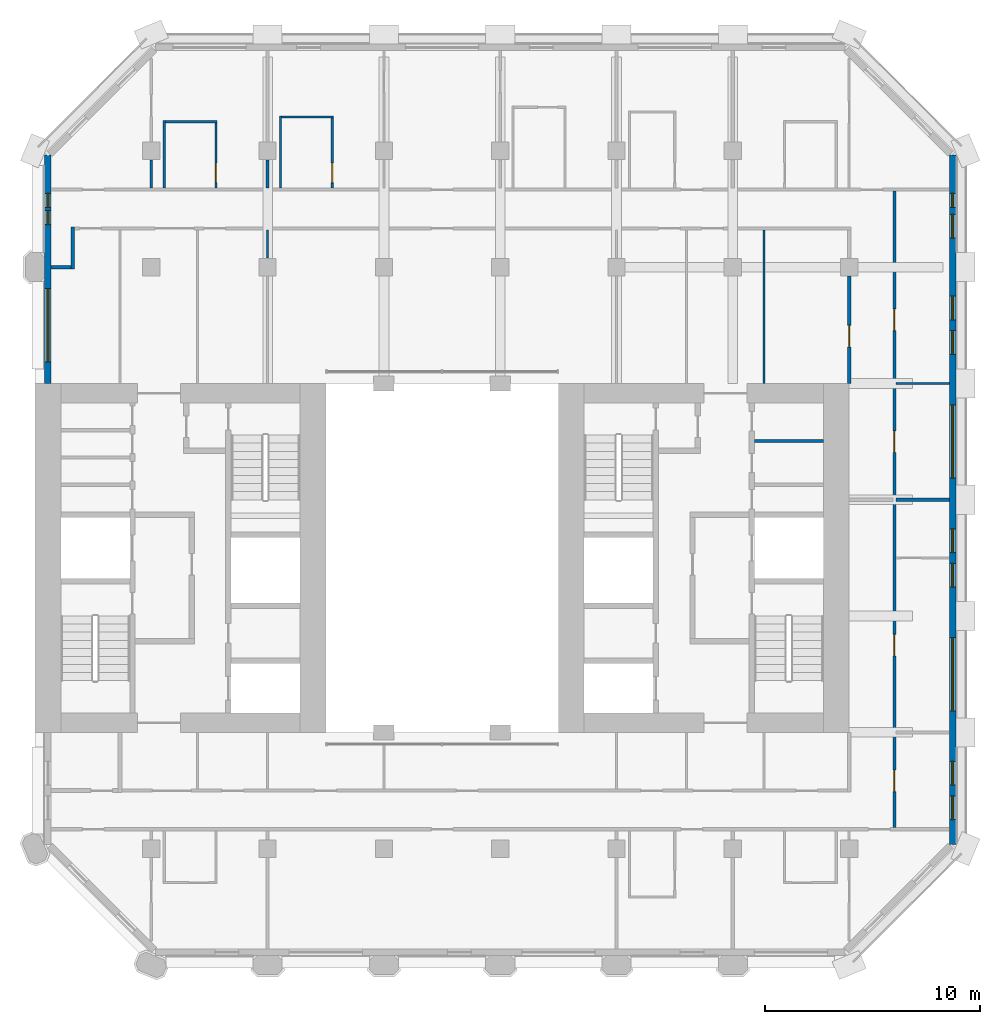
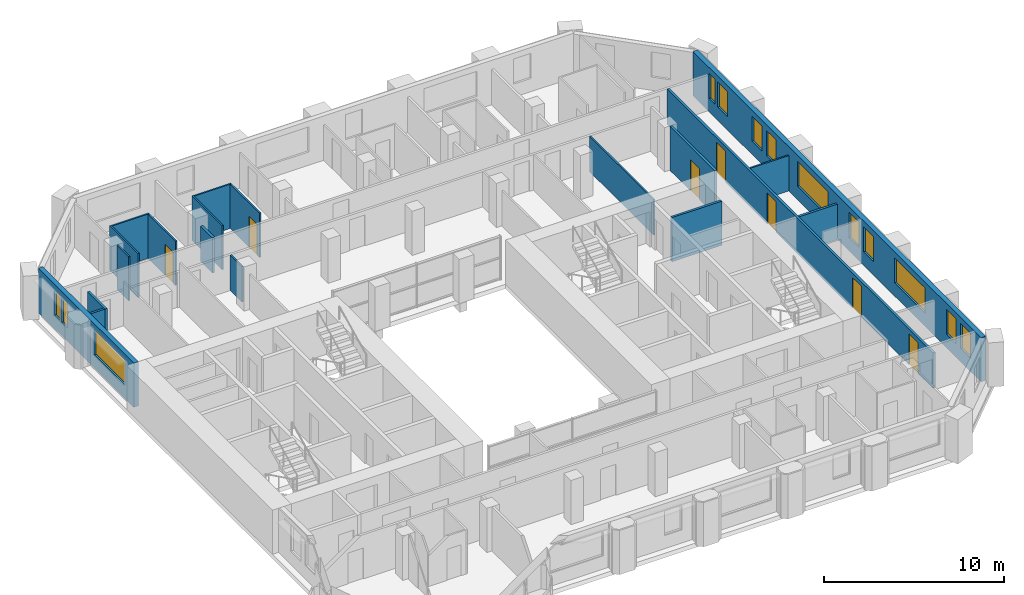
# One storey, part 7 of 12: 19 walls, 13 windows, 7 doors, 20 openings.
"""IFC4 building model written with IfcOpenShell, lengths in metres."""

from ifc_helpers import new_model, si_unit, direction, frame, frame_2d, origin, place, context, subcontext, project, spatial, rectangle, extrude, material, layer, layer_set, type_object, element, fill, save


model = new_model("IFC4")

# Units and contexts
model_context = context("Model", 3, precision=1e-05, world=origin(), true_north=direction((0.0, 1.0)))
body_context = subcontext(model_context, "Body", "Model", "MODEL_VIEW")
ifc_project = project(units=[si_unit("LENGTHUNIT", "METRE"), si_unit("AREAUNIT", "SQUARE_METRE"), si_unit("VOLUMEUNIT", "CUBIC_METRE"), si_unit("PLANEANGLEUNIT", "RADIAN"), si_unit("MASSUNIT", "GRAM", prefix="KILO")], contexts=[model_context])

# Site, building, storey
site_placement = place(None, origin())
site = spatial("IfcSite", under=ifc_project, at=site_placement, CompositionType="ELEMENT")
building_placement = place(site_placement, origin())
building = spatial("IfcBuilding", under=site, at=building_placement, Name="Tabaq Tower and Sports Hall", CompositionType="ELEMENT")
storey_placement = place(building_placement, frame((0.0, 0.0, 197.199951171875)))
storey = spatial("IfcBuildingStorey", under=building, at=storey_placement, Name="L48", CompositionType="ELEMENT", Elevation=197.199951171875)

# Walls
ifc_material_1 = material(Name="Blockwork", Category="masonry")
ifc_layer_1 = layer(ifc_material_1, 0.14990234375)
ifc_layer_set_1 = layer_set([ifc_layer_1], Name="Core room partition 150 Blockwork")
wall_type_1 = type_object("IfcWallType", Name="Core room partition 150 Blockwork", PredefinedType="PARTITIONING", material=ifc_layer_set_1)
wall_1_placement = place(storey_placement, frame((38.800048828125, 29.72412109375, 0.0), z_axis=(0.0, 0.0, 1.0), x_axis=(1.0, 0.0, 0.0)))
element("IfcWall", 1, at=wall_1_placement, inside=storey, type_object=wall_type_1, Name="Core room partition E L48", PredefinedType="PARTITIONING", context=body_context, shape_type="SweptSolid", body=[
    extrude(rectangle(XDim=3.199951171875, YDim=0.14990234375, at=frame_2d((1.60009765625, 0.0))), origin(), (0.0, 0.0, 1.0), 3.0),
])
ifc_material_2 = material(Name="Gypsum board on steel studs", Category="steel")
ifc_layer_2 = layer(ifc_material_2, 0.10009765625)
ifc_layer_set_2 = layer_set([ifc_layer_2], Name="Partition 100 Gypsum board")
wall_type_2 = type_object("IfcWallType", Name="Partition 100 Gypsum board", PredefinedType="PARTITIONING", material=ifc_layer_set_2)
wall_2_placement = place(storey_placement, frame((45.375, 32.39990234375, 0.0), z_axis=(0.0, 0.0, 1.0), x_axis=(1.0, 0.0, 0.0)))
element("IfcWall", 2, at=wall_2_placement, inside=storey, type_object=wall_type_2, Name="Partition wall L48", PredefinedType="PARTITIONING", context=body_context, shape_type="SweptSolid", body=[
    extrude(rectangle(XDim=2.47412109375, YDim=0.10009765625, at=frame_2d((1.237060546875, 0.0))), origin(), (0.0, 0.0, 1.0), 2.400146484375),
])
wall_3_placement = place(storey_placement, frame((10.800048828125, 42.780029296875, 0.0), z_axis=(0.0, 0.0, 1.0), x_axis=(0.0, -1.0, 0.0)))
element("IfcWall", 3, at=wall_3_placement, inside=storey, type_object=wall_type_2, Name="Partition wall L48", PredefinedType="PARTITIONING", context=body_context, shape_type="SweptSolid", body=[
    extrude(rectangle(XDim=1.304931640625, YDim=0.10009765625, at=frame_2d((0.65234375, 0.0))), origin(), (0.0, 0.0, 1.0), 3.0),
])
wall_4_placement = place(storey_placement, frame((11.39990234375, 41.47509765625, 0.0), z_axis=(0.0, 0.0, 1.0), x_axis=(0.0, 1.0, 0.0)))
element("IfcWall", 4, at=wall_4_placement, inside=storey, type_object=wall_type_2, Name="Partition wall L48", PredefinedType="PARTITIONING", context=body_context, shape_type="SweptSolid", body=[
    extrude(rectangle(XDim=3.125, YDim=0.10009765625, at=frame_2d((1.5625, 0.0))), origin(), (0.0, 0.0, 1.0), 3.0),
])
wall_5_placement = place(storey_placement, frame((11.449951171875, 44.550048828125, 0.0), z_axis=(0.0, 0.0, 1.0), x_axis=(1.0, 0.0, 0.0)))
element("IfcWall", 5, at=wall_5_placement, inside=storey, type_object=wall_type_2, Name="Partition wall L48", PredefinedType="PARTITIONING", context=body_context, shape_type="SweptSolid", body=[
    extrude(rectangle(XDim=2.400146484375, YDim=0.10009765625, at=frame_2d((1.2001953125, 0.0))), origin(), (0.0, 0.0, 1.0), 3.0),
])

# Wall, opening, door
wall_6_placement = place(storey_placement, frame((13.800048828125, 44.5, 0.0), z_axis=(0.0, 0.0, 1.0), x_axis=(0.0, -1.0, 0.0)))
wall_6 = element("IfcWall", 6, at=wall_6_placement, inside=storey, type_object=wall_type_2, Name="Partition wall L48", PredefinedType="PARTITIONING", context=body_context, shape_type="SweptSolid", body=[
    extrude(rectangle(XDim=3.02490234375, YDim=0.10009765625, at=frame_2d((1.512451171875, 0.0))), origin(), (0.0, 0.0, 1.0), 3.0),
])
opening_1_placement = place(wall_6_placement, frame((1.875, 0.0, 0.0)))
opening_1 = element("IfcOpeningElement", 7, at=opening_1_placement, cuts=wall_6, Name="Opening L48-002", PredefinedType="OPENING", context=body_context, shape_type="SweptSolid", body=[
    extrude(rectangle(XDim=0.89990234375, YDim=2.10009765625, at=frame_2d((0.449951171875, 1.050048828125))), frame((0.0, 0.050048828125, 0.0), z_axis=(0.0, -1.0, 0.0), x_axis=(1.0, 0.0, 0.0)), (0.0, 0.0, 1.0), 0.10009765625),
])
ifc_material_3 = material(Name="Timber leaf in steel frame", Category="steel")
door_type_1 = type_object("IfcDoorType", Name="Internal door 900 right hand", OperationType="SINGLE_SWING_RIGHT", PredefinedType="DOOR", material=ifc_material_3)
door_1_placement = place(opening_1_placement, origin())
door_1 = element("IfcDoor", 8, at=door_1_placement, inside=storey, type_object=door_type_1, Name="Internal door L48-002", OperationType="SINGLE_SWING_RIGHT", OverallHeight=2.10009765625, OverallWidth=0.89990234375, PredefinedType="DOOR", context=body_context, shape_type="SweptSolid", body=[
    extrude(rectangle(XDim=0.89990234375, YDim=2.10009765625, at=frame_2d((0.449951171875, 1.050048828125))), frame((0.0, 0.02490234375, 0.0), z_axis=(0.0, -1.0, 0.0), x_axis=(1.0, 0.0, 0.0)), (0.0, 0.0, 1.0), 0.050048828125),
])
fill(opening_1, door_1)

# Walls
wall_7_placement = place(storey_placement, frame((16.800048828125, 41.47509765625, 0.0), z_axis=(0.0, 0.0, 1.0), x_axis=(0.0, 1.0, 0.0)))
element("IfcWall", 9, at=wall_7_placement, inside=storey, type_object=wall_type_2, Name="Partition wall L48", PredefinedType="PARTITIONING", context=body_context, shape_type="SweptSolid", body=[
    extrude(rectangle(XDim=3.349853515625, YDim=0.10009765625, at=frame_2d((1.6748046875, 0.0))), origin(), (0.0, 0.0, 1.0), 3.0),
])
wall_8_placement = place(storey_placement, frame((16.85009765625, 44.77490234375, 0.0), z_axis=(0.0, 0.0, 1.0), x_axis=(1.0, 0.0, 0.0)))
element("IfcWall", 10, at=wall_8_placement, inside=storey, type_object=wall_type_2, Name="Partition wall L48", PredefinedType="PARTITIONING", context=body_context, shape_type="SweptSolid", body=[
    extrude(rectangle(XDim=2.39990234375, YDim=0.10009765625, at=frame_2d((1.199951171875, 0.0))), origin(), (0.0, 0.0, 1.0), 3.0),
])

# Wall, opening, door
wall_9_placement = place(storey_placement, frame((19.199951171875, 44.72509765625, 0.0), z_axis=(0.0, 0.0, 1.0), x_axis=(0.0, -1.0, 0.0)))
wall_9 = element("IfcWall", 11, at=wall_9_placement, inside=storey, type_object=wall_type_2, Name="Partition wall L48", PredefinedType="PARTITIONING", context=body_context, shape_type="SweptSolid", body=[
    extrude(rectangle(XDim=3.25, YDim=0.10009765625, at=frame_2d((1.625, 0.0))), origin(), (0.0, 0.0, 1.0), 3.0),
])
opening_2_placement = place(wall_9_placement, frame((2.10009765625, 0.0, 0.0)))
opening_2 = element("IfcOpeningElement", 12, at=opening_2_placement, cuts=wall_9, Name="Opening L48-003", PredefinedType="OPENING", context=body_context, shape_type="SweptSolid", body=[
    extrude(rectangle(XDim=0.89990234375, YDim=2.10009765625, at=frame_2d((0.449951171875, 1.050048828125))), frame((0.0, 0.050048828125, 0.0), z_axis=(0.0, -1.0, 0.0), x_axis=(1.0, 0.0, 0.0)), (0.0, 0.0, 1.0), 0.10009765625),
])
door_2_placement = place(opening_2_placement, origin())
door_2 = element("IfcDoor", 13, at=door_2_placement, inside=storey, type_object=door_type_1, Name="Internal door L48-003", OperationType="SINGLE_SWING_RIGHT", OverallHeight=2.10009765625, OverallWidth=0.89990234375, PredefinedType="DOOR", context=body_context, shape_type="SweptSolid", body=[
    extrude(rectangle(XDim=0.89990234375, YDim=2.10009765625, at=frame_2d((0.449951171875, 1.050048828125))), frame((0.0, 0.02490234375, 0.0), z_axis=(0.0, -1.0, 0.0), x_axis=(1.0, 0.0, 0.0)), (0.0, 0.0, 1.0), 0.050048828125),
])
fill(opening_2, door_2)

# Walls
wall_10_placement = place(storey_placement, frame((16.199951171875, 39.52490234375, 0.0), z_axis=(0.0, 0.0, 1.0), x_axis=(0.0, -1.0, 0.0)))
element("IfcWall", 14, at=wall_10_placement, inside=storey, type_object=wall_type_2, Name="Partition wall L48", PredefinedType="PARTITIONING", context=body_context, shape_type="SweptSolid", body=[
    extrude(rectangle(XDim=1.304931640625, YDim=0.10009765625, at=frame_2d((0.65234375, 0.0))), origin(), (0.0, 0.0, 1.0), 2.400146484375),
])
wall_11_placement = place(storey_placement, frame((39.25, 32.39990234375, 0.0), z_axis=(0.0, 0.0, 1.0), x_axis=(0.0, 1.0, 0.0)))
element("IfcWall", 15, at=wall_11_placement, inside=storey, type_object=wall_type_2, Name="Partition wall L48", PredefinedType="PARTITIONING", context=body_context, shape_type="SweptSolid", body=[
    extrude(rectangle(XDim=7.125, YDim=0.10009765625, at=frame_2d((3.5625, 0.0))), origin(), (0.0, 0.0, 1.0), 2.400146484375),
])
ifc_material_4 = material(Name="Blockwork", Category="masonry")
ifc_layer_3 = layer(ifc_material_4, 0.14990234375)
ifc_layer_set_3 = layer_set([ifc_layer_3], Name="Separating wall 150 Blockwork")
wall_type_3 = type_object("IfcWallType", Name="Separating wall 150 Blockwork", PredefinedType="PARTITIONING", material=ifc_layer_set_3)
wall_12_placement = place(storey_placement, frame((16.199951171875, 41.47509765625, 0.0), z_axis=(0.0, 0.0, 1.0), x_axis=(0.0, 1.0, 0.0)))
element("IfcWall", 16, at=wall_12_placement, inside=storey, type_object=wall_type_3, Name="Separating wall L48", PredefinedType="PARTITIONING", context=body_context, shape_type="SweptSolid", body=[
    extrude(rectangle(XDim=1.304931640625, YDim=0.14990234375, at=frame_2d((0.65234375, 0.0))), origin(), (0.0, 0.0, 1.0), 2.400146484375),
])
wall_13_placement = place(storey_placement, frame((45.375, 27.0, 0.0), z_axis=(0.0, 0.0, 1.0), x_axis=(1.0, 0.0, 0.0)))
element("IfcWall", 17, at=wall_13_placement, inside=storey, type_object=wall_type_3, Name="Separating wall L48", PredefinedType="PARTITIONING", context=body_context, shape_type="SweptSolid", body=[
    extrude(rectangle(XDim=2.47412109375, YDim=0.14990234375, at=frame_2d((1.237060546875, 0.0))), origin(), (0.0, 0.0, 1.0), 2.400146484375),
])
wall_14_placement = place(storey_placement, frame((7.15087890625, 39.675048828125, 0.0), z_axis=(0.0, 0.0, 1.0), x_axis=(-0.00050081376, -0.999999874593, 0.0)))
element("IfcWall", 18, at=wall_14_placement, inside=storey, type_object=wall_type_3, Name="Separating wall L48", PredefinedType="PARTITIONING", context=body_context, shape_type="SweptSolid", body=[
    extrude(rectangle(XDim=1.949951171875, YDim=0.14990234375, at=frame_2d((0.97509765625, 0.0))), origin(), (0.0, 0.0, 1.0), 3.0),
])
wall_15_placement = place(storey_placement, frame((7.074951171875, 37.800048828125, 0.0), z_axis=(0.0, 0.0, 1.0), x_axis=(-1.0, 0.0, 0.0)))
element("IfcWall", 19, at=wall_15_placement, inside=storey, type_object=wall_type_3, Name="Separating wall L48", PredefinedType="PARTITIONING", context=body_context, shape_type="SweptSolid", body=[
    extrude(rectangle(XDim=0.925048828125, YDim=0.14990234375, at=frame_2d((0.46240234375, 0.0))), origin(), (0.0, 0.0, 1.0), 3.0),
])

# Wall, opening, door
wall_16_placement = place(storey_placement, frame((43.199951171875, 37.3798828125, 0.0), z_axis=(0.0, 0.0, 1.0), x_axis=(0.0, -1.0, 0.0)))
wall_16 = element("IfcWall", 20, at=wall_16_placement, inside=storey, type_object=wall_type_3, Name="Separating wall L48", PredefinedType="PARTITIONING", context=body_context, shape_type="SweptSolid", body=[
    extrude(rectangle(XDim=4.97998046875, YDim=0.14990234375, at=frame_2d((2.489990234375, 0.0))), origin(), (0.0, 0.0, 1.0), 3.0),
])
opening_3_placement = place(wall_16_placement, frame((2.280029296875, 0.0, 0.0)))
opening_3 = element("IfcOpeningElement", 21, at=opening_3_placement, cuts=wall_16, Name="Opening L48-011", PredefinedType="OPENING", context=body_context, shape_type="SweptSolid", body=[
    extrude(rectangle(XDim=1.0, YDim=2.10009765625, at=frame_2d((0.5, 1.050048828125))), frame((0.0, 0.074951171875, 0.0), z_axis=(0.0, -1.0, 0.0), x_axis=(1.0, 0.0, 0.0)), (0.0, 0.0, 1.0), 0.14990234375),
])
ifc_material_5 = material(Name="Timber leaf in steel frame", Category="steel")
door_type_2 = type_object("IfcDoorType", Name="Internal door 1000 left hand", OperationType="SINGLE_SWING_LEFT", PredefinedType="DOOR", material=ifc_material_5)
door_3_placement = place(opening_3_placement, origin())
door_3 = element("IfcDoor", 22, at=door_3_placement, inside=storey, type_object=door_type_2, Name="Internal door L48-011", OperationType="SINGLE_SWING_LEFT", OverallHeight=2.10009765625, OverallWidth=1.0, PredefinedType="DOOR", context=body_context, shape_type="SweptSolid", body=[
    extrude(rectangle(XDim=1.0, YDim=2.10009765625, at=frame_2d((0.5, 1.050048828125))), frame((0.0, 0.02490234375, 0.0), z_axis=(0.0, -1.0, 0.0), x_axis=(1.0, 0.0, 0.0)), (0.0, 0.0, 1.0), 0.050048828125),
])
fill(opening_3, door_3)

# Wall, openings, doors
wall_17_placement = place(storey_placement, frame((45.300048828125, 41.324951171875, 0.0), z_axis=(0.0, 0.0, 1.0), x_axis=(0.0, -1.0, 0.0)))
wall_17 = element("IfcWall", 23, at=wall_17_placement, inside=storey, type_object=wall_type_3, Name="Separating wall L48", PredefinedType="PARTITIONING", context=body_context, shape_type="SweptSolid", body=[
    extrude(rectangle(XDim=29.550048828125, YDim=0.14990234375, at=frame_2d((14.77490234375, 0.0))), origin(), (0.0, 0.0, 1.0), 2.400146484375),
])
opening_4_placement = place(wall_17_placement, frame((5.467041015625, 0.0, 0.0)))
opening_4 = element("IfcOpeningElement", 24, at=opening_4_placement, cuts=wall_17, Name="Opening L48-001", PredefinedType="OPENING", context=body_context, shape_type="SweptSolid", body=[
    extrude(rectangle(XDim=1.0, YDim=2.10009765625, at=frame_2d((0.5, 1.050048828125))), frame((0.0, 0.074951171875, 0.0), z_axis=(0.0, -1.0, 0.0), x_axis=(1.0, 0.0, 0.0)), (0.0, 0.0, 1.0), 0.14990234375),
])
opening_5_placement = place(wall_17_placement, frame((11.125, 0.0, 0.0)))
opening_5 = element("IfcOpeningElement", 25, at=opening_5_placement, cuts=wall_17, Name="Opening L48-008", PredefinedType="OPENING", context=body_context, shape_type="SweptSolid", body=[
    extrude(rectangle(XDim=1.0, YDim=2.10009765625, at=frame_2d((0.5, 1.050048828125))), frame((0.0, 0.074951171875, 0.0), z_axis=(0.0, -1.0, 0.0), x_axis=(1.0, 0.0, 0.0)), (0.0, 0.0, 1.0), 0.14990234375),
])
opening_6_placement = place(wall_17_placement, frame((26.875, 0.0, 0.0)))
opening_6 = element("IfcOpeningElement", 26, at=opening_6_placement, cuts=wall_17, Name="Opening L48-013", PredefinedType="OPENING", context=body_context, shape_type="SweptSolid", body=[
    extrude(rectangle(XDim=1.0, YDim=2.10009765625, at=frame_2d((0.5, 1.050048828125))), frame((0.0, 0.074951171875, 0.0), z_axis=(0.0, -1.0, 0.0), x_axis=(1.0, 0.0, 0.0)), (0.0, 0.0, 1.0), 0.14990234375),
])
opening_7_placement = place(wall_17_placement, frame((20.574951171875, 0.0, 0.0)))
opening_7 = element("IfcOpeningElement", 27, at=opening_7_placement, cuts=wall_17, Name="Opening L48-039", PredefinedType="OPENING", context=body_context, shape_type="SweptSolid", body=[
    extrude(rectangle(XDim=1.0, YDim=2.10009765625, at=frame_2d((0.5, 1.050048828125))), frame((0.0, 0.074951171875, 0.0), z_axis=(0.0, -1.0, 0.0), x_axis=(1.0, 0.0, 0.0)), (0.0, 0.0, 1.0), 0.14990234375),
])
ifc_material_6 = material(Name="Steel fire door", Category="steel")
door_type_3 = type_object("IfcDoorType", Name="Entrance door 1000 left hand", OperationType="SINGLE_SWING_LEFT", PredefinedType="DOOR", material=ifc_material_6)
door_4_placement = place(opening_7_placement, origin())
door_4 = element("IfcDoor", 28, at=door_4_placement, inside=storey, type_object=door_type_3, Name="Entrance door L48-039", OperationType="SINGLE_SWING_LEFT", OverallHeight=2.10009765625, OverallWidth=1.0, PredefinedType="DOOR", context=body_context, shape_type="SweptSolid", body=[
    extrude(rectangle(XDim=1.0, YDim=2.10009765625, at=frame_2d((0.5, 1.050048828125))), frame((0.0, 0.02490234375, 0.0), z_axis=(0.0, -1.0, 0.0), x_axis=(1.0, 0.0, 0.0)), (0.0, 0.0, 1.0), 0.050048828125),
])
fill(opening_7, door_4)
door_5_placement = place(opening_4_placement, origin())
door_5 = element("IfcDoor", 29, at=door_5_placement, inside=storey, type_object=door_type_2, Name="Internal door L48-001", OperationType="SINGLE_SWING_LEFT", OverallHeight=2.10009765625, OverallWidth=1.0, PredefinedType="DOOR", context=body_context, shape_type="SweptSolid", body=[
    extrude(rectangle(XDim=1.0, YDim=2.10009765625, at=frame_2d((0.5, 1.050048828125))), frame((0.0, 0.02490234375, 0.0), z_axis=(0.0, -1.0, 0.0), x_axis=(1.0, 0.0, 0.0)), (0.0, 0.0, 1.0), 0.050048828125),
])
fill(opening_4, door_5)
door_6_placement = place(opening_6_placement, origin())
door_6 = element("IfcDoor", 30, at=door_6_placement, inside=storey, type_object=door_type_2, Name="Internal door L48-013", OperationType="SINGLE_SWING_LEFT", OverallHeight=2.10009765625, OverallWidth=1.0, PredefinedType="DOOR", context=body_context, shape_type="SweptSolid", body=[
    extrude(rectangle(XDim=1.0, YDim=2.10009765625, at=frame_2d((0.5, 1.050048828125))), frame((0.0, 0.02490234375, 0.0), z_axis=(0.0, -1.0, 0.0), x_axis=(1.0, 0.0, 0.0)), (0.0, 0.0, 1.0), 0.050048828125),
])
fill(opening_6, door_6)
ifc_material_7 = material(Name="Timber leaf in steel frame", Category="steel")
door_type_4 = type_object("IfcDoorType", Name="Internal door 1000 right hand", OperationType="SINGLE_SWING_RIGHT", PredefinedType="DOOR", material=ifc_material_7)
door_7_placement = place(opening_5_placement, origin())
door_7 = element("IfcDoor", 31, at=door_7_placement, inside=storey, type_object=door_type_4, Name="Internal door L48-008", OperationType="SINGLE_SWING_RIGHT", OverallHeight=2.10009765625, OverallWidth=1.0, PredefinedType="DOOR", context=body_context, shape_type="SweptSolid", body=[
    extrude(rectangle(XDim=1.0, YDim=2.10009765625, at=frame_2d((0.5, 1.050048828125))), frame((0.0, 0.02490234375, 0.0), z_axis=(0.0, -1.0, 0.0), x_axis=(1.0, 0.0, 0.0)), (0.0, 0.0, 1.0), 0.050048828125),
])
fill(opening_5, door_7)

# Wall, openings, windows
ifc_material_8 = material(Name="White precast concrete C60/75", Category="concrete")
ifc_layer_4 = layer(ifc_material_8, 0.300048828125)
ifc_layer_set_4 = layer_set([ifc_layer_4], Name="White precast concrete C60/75 external wall 300")
wall_type_4 = type_object("IfcWallType", Name="White precast concrete C60/75 external wall 300", PredefinedType="SOLIDWALL", material=ifc_layer_set_4)
wall_18_placement = place(storey_placement, frame((48.0, 10.986328125, 0.0), z_axis=(0.0, 0.0, 1.0), x_axis=(0.0, 1.0, 0.0)))
wall_18 = element("IfcWall", 32, at=wall_18_placement, inside=storey, type_object=wall_type_4, Name="External Wall L48 E", PredefinedType="SOLIDWALL", context=body_context, shape_type="SweptSolid", body=[
    extrude(rectangle(XDim=32.02734375, YDim=0.300048828125, at=frame_2d((16.013671875, 0.0))), origin(), (0.0, 0.0, 1.0), 3.0),
])
opening_8_placement = place(wall_18_placement, frame((1.16357421875, 0.0, 0.89990234375)))
opening_8 = element("IfcOpeningElement", 33, at=opening_8_placement, cuts=wall_18, Name="Opening W1B", PredefinedType="OPENING", context=body_context, shape_type="SweptSolid", body=[
    extrude(rectangle(XDim=1.10009765625, YDim=1.699951171875, at=frame_2d((0.550048828125, 0.85009765625))), frame((0.0, 0.16015625, 0.0), z_axis=(0.0, -1.0, 0.0), x_axis=(1.0, 0.0, 0.0)), (0.0, 0.0, 1.0), 0.320068359375),
])
opening_9_placement = place(wall_18_placement, frame((2.763671875, 0.0, 0.89990234375)))
opening_9 = element("IfcOpeningElement", 34, at=opening_9_placement, cuts=wall_18, Name="Opening W1B", PredefinedType="OPENING", context=body_context, shape_type="SweptSolid", body=[
    extrude(rectangle(XDim=1.10009765625, YDim=1.699951171875, at=frame_2d((0.550048828125, 0.85009765625))), frame((0.0, 0.16015625, 0.0), z_axis=(0.0, -1.0, 0.0), x_axis=(1.0, 0.0, 0.0)), (0.0, 0.0, 1.0), 0.320068359375),
])
opening_10_placement = place(wall_18_placement, frame((6.213623046875, 0.0, 0.89990234375)))
opening_10 = element("IfcOpeningElement", 35, at=opening_10_placement, cuts=wall_18, Name="Opening W1A", PredefinedType="OPENING", context=body_context, shape_type="SweptSolid", body=[
    extrude(rectangle(XDim=3.39990234375, YDim=1.699951171875, at=frame_2d((1.699951171875, 0.85009765625))), frame((0.0, 0.16015625, 0.0), z_axis=(0.0, -1.0, 0.0), x_axis=(1.0, 0.0, 0.0)), (0.0, 0.0, 1.0), 0.320068359375),
])
opening_11_placement = place(wall_18_placement, frame((11.963623046875, 0.0, 0.89990234375)))
opening_11 = element("IfcOpeningElement", 36, at=opening_11_placement, cuts=wall_18, Name="Opening W1B", PredefinedType="OPENING", context=body_context, shape_type="SweptSolid", body=[
    extrude(rectangle(XDim=1.10009765625, YDim=1.699951171875, at=frame_2d((0.550048828125, 0.85009765625))), frame((0.0, 0.16015625, 0.0), z_axis=(0.0, -1.0, 0.0), x_axis=(1.0, 0.0, 0.0)), (0.0, 0.0, 1.0), 0.320068359375),
])
opening_12_placement = place(wall_18_placement, frame((13.563720703125, 0.0, 0.89990234375)))
opening_12 = element("IfcOpeningElement", 37, at=opening_12_placement, cuts=wall_18, Name="Opening W1B", PredefinedType="OPENING", context=body_context, shape_type="SweptSolid", body=[
    extrude(rectangle(XDim=1.10009765625, YDim=1.699951171875, at=frame_2d((0.550048828125, 0.85009765625))), frame((0.0, 0.16015625, 0.0), z_axis=(0.0, -1.0, 0.0), x_axis=(1.0, 0.0, 0.0)), (0.0, 0.0, 1.0), 0.320068359375),
])
opening_13_placement = place(wall_18_placement, frame((17.013671875, 0.0, 0.89990234375)))
opening_13 = element("IfcOpeningElement", 38, at=opening_13_placement, cuts=wall_18, Name="Opening W1A", PredefinedType="OPENING", context=body_context, shape_type="SweptSolid", body=[
    extrude(rectangle(XDim=3.39990234375, YDim=1.699951171875, at=frame_2d((1.699951171875, 0.85009765625))), frame((0.0, 0.16015625, 0.0), z_axis=(0.0, -1.0, 0.0), x_axis=(1.0, 0.0, 0.0)), (0.0, 0.0, 1.0), 0.320068359375),
])
opening_14_placement = place(wall_18_placement, frame((22.763671875, 0.0, 0.89990234375)))
opening_14 = element("IfcOpeningElement", 39, at=opening_14_placement, cuts=wall_18, Name="Opening W1B", PredefinedType="OPENING", context=body_context, shape_type="SweptSolid", body=[
    extrude(rectangle(XDim=1.10009765625, YDim=1.699951171875, at=frame_2d((0.550048828125, 0.85009765625))), frame((0.0, 0.16015625, 0.0), z_axis=(0.0, -1.0, 0.0), x_axis=(1.0, 0.0, 0.0)), (0.0, 0.0, 1.0), 0.320068359375),
])
opening_15_placement = place(wall_18_placement, frame((24.363525390625, 0.0, 0.89990234375)))
opening_15 = element("IfcOpeningElement", 40, at=opening_15_placement, cuts=wall_18, Name="Opening W1B", PredefinedType="OPENING", context=body_context, shape_type="SweptSolid", body=[
    extrude(rectangle(XDim=1.10009765625, YDim=1.699951171875, at=frame_2d((0.550048828125, 0.85009765625))), frame((0.0, 0.16015625, 0.0), z_axis=(0.0, -1.0, 0.0), x_axis=(1.0, 0.0, 0.0)), (0.0, 0.0, 1.0), 0.320068359375),
])
opening_16_placement = place(wall_18_placement, frame((28.16357421875, 0.0, 0.89990234375)))
opening_16 = element("IfcOpeningElement", 41, at=opening_16_placement, cuts=wall_18, Name="Opening W1B", PredefinedType="OPENING", context=body_context, shape_type="SweptSolid", body=[
    extrude(rectangle(XDim=1.10009765625, YDim=1.699951171875, at=frame_2d((0.550048828125, 0.85009765625))), frame((0.0, 0.16015625, 0.0), z_axis=(0.0, -1.0, 0.0), x_axis=(1.0, 0.0, 0.0)), (0.0, 0.0, 1.0), 0.320068359375),
])
opening_17_placement = place(wall_18_placement, frame((29.588623046875, 0.0, 0.89990234375)))
opening_17 = element("IfcOpeningElement", 42, at=opening_17_placement, cuts=wall_18, Name="Opening W1C", PredefinedType="OPENING", context=body_context, shape_type="SweptSolid", body=[
    extrude(rectangle(XDim=0.64990234375, YDim=1.699951171875, at=frame_2d((0.324951171875, 0.85009765625))), frame((0.0, 0.16015625, 0.0), z_axis=(0.0, -1.0, 0.0), x_axis=(1.0, 0.0, 0.0)), (0.0, 0.0, 1.0), 0.320068359375),
])
ifc_material_9 = material(Name="Aluminium framed clear glazing", Category="aluminium")
window_type_1 = type_object("IfcWindowType", Name="Window W1A", PartitioningType="SINGLE_PANEL", PredefinedType="WINDOW", material=ifc_material_9)
window_1_placement = place(opening_10_placement, origin())
window_1 = element("IfcWindow", 43, at=window_1_placement, inside=storey, type_object=window_type_1, Name="Window W1A L48", OverallHeight=1.699951171875, OverallWidth=3.39990234375, PartitioningType="SINGLE_PANEL", PredefinedType="WINDOW", context=body_context, shape_type="SweptSolid", body=[
    extrude(rectangle(XDim=3.39990234375, YDim=1.699951171875, at=frame_2d((1.699951171875, 0.85009765625))), frame((0.0, 0.030029296875, 0.0), z_axis=(0.0, -1.0, 0.0), x_axis=(1.0, 0.0, 0.0)), (0.0, 0.0, 1.0), 0.06005859375),
])
fill(opening_10, window_1)
window_2_placement = place(opening_13_placement, origin())
window_2 = element("IfcWindow", 44, at=window_2_placement, inside=storey, type_object=window_type_1, Name="Window W1A L48", OverallHeight=1.699951171875, OverallWidth=3.39990234375, PartitioningType="SINGLE_PANEL", PredefinedType="WINDOW", context=body_context, shape_type="SweptSolid", body=[
    extrude(rectangle(XDim=3.39990234375, YDim=1.699951171875, at=frame_2d((1.699951171875, 0.85009765625))), frame((0.0, 0.030029296875, 0.0), z_axis=(0.0, -1.0, 0.0), x_axis=(1.0, 0.0, 0.0)), (0.0, 0.0, 1.0), 0.06005859375),
])
fill(opening_13, window_2)
ifc_material_10 = material(Name="Aluminium framed clear glazing", Category="aluminium")
window_type_2 = type_object("IfcWindowType", Name="Window W1B", PartitioningType="SINGLE_PANEL", PredefinedType="WINDOW", material=ifc_material_10)
window_3_placement = place(opening_8_placement, origin())
window_3 = element("IfcWindow", 45, at=window_3_placement, inside=storey, type_object=window_type_2, Name="Window W1B L48", OverallHeight=1.699951171875, OverallWidth=1.10009765625, PartitioningType="SINGLE_PANEL", PredefinedType="WINDOW", context=body_context, shape_type="SweptSolid", body=[
    extrude(rectangle(XDim=1.10009765625, YDim=1.699951171875, at=frame_2d((0.550048828125, 0.85009765625))), frame((0.0, 0.030029296875, 0.0), z_axis=(0.0, -1.0, 0.0), x_axis=(1.0, 0.0, 0.0)), (0.0, 0.0, 1.0), 0.06005859375),
])
fill(opening_8, window_3)
window_4_placement = place(opening_9_placement, origin())
window_4 = element("IfcWindow", 46, at=window_4_placement, inside=storey, type_object=window_type_2, Name="Window W1B L48", OverallHeight=1.699951171875, OverallWidth=1.10009765625, PartitioningType="SINGLE_PANEL", PredefinedType="WINDOW", context=body_context, shape_type="SweptSolid", body=[
    extrude(rectangle(XDim=1.10009765625, YDim=1.699951171875, at=frame_2d((0.550048828125, 0.85009765625))), frame((0.0, 0.030029296875, 0.0), z_axis=(0.0, -1.0, 0.0), x_axis=(1.0, 0.0, 0.0)), (0.0, 0.0, 1.0), 0.06005859375),
])
fill(opening_9, window_4)
window_5_placement = place(opening_11_placement, origin())
window_5 = element("IfcWindow", 47, at=window_5_placement, inside=storey, type_object=window_type_2, Name="Window W1B L48", OverallHeight=1.699951171875, OverallWidth=1.10009765625, PartitioningType="SINGLE_PANEL", PredefinedType="WINDOW", context=body_context, shape_type="SweptSolid", body=[
    extrude(rectangle(XDim=1.10009765625, YDim=1.699951171875, at=frame_2d((0.550048828125, 0.85009765625))), frame((0.0, 0.030029296875, 0.0), z_axis=(0.0, -1.0, 0.0), x_axis=(1.0, 0.0, 0.0)), (0.0, 0.0, 1.0), 0.06005859375),
])
fill(opening_11, window_5)
window_6_placement = place(opening_12_placement, origin())
window_6 = element("IfcWindow", 48, at=window_6_placement, inside=storey, type_object=window_type_2, Name="Window W1B L48", OverallHeight=1.699951171875, OverallWidth=1.10009765625, PartitioningType="SINGLE_PANEL", PredefinedType="WINDOW", context=body_context, shape_type="SweptSolid", body=[
    extrude(rectangle(XDim=1.10009765625, YDim=1.699951171875, at=frame_2d((0.550048828125, 0.85009765625))), frame((0.0, 0.030029296875, 0.0), z_axis=(0.0, -1.0, 0.0), x_axis=(1.0, 0.0, 0.0)), (0.0, 0.0, 1.0), 0.06005859375),
])
fill(opening_12, window_6)
window_7_placement = place(opening_14_placement, origin())
window_7 = element("IfcWindow", 49, at=window_7_placement, inside=storey, type_object=window_type_2, Name="Window W1B L48", OverallHeight=1.699951171875, OverallWidth=1.10009765625, PartitioningType="SINGLE_PANEL", PredefinedType="WINDOW", context=body_context, shape_type="SweptSolid", body=[
    extrude(rectangle(XDim=1.10009765625, YDim=1.699951171875, at=frame_2d((0.550048828125, 0.85009765625))), frame((0.0, 0.030029296875, 0.0), z_axis=(0.0, -1.0, 0.0), x_axis=(1.0, 0.0, 0.0)), (0.0, 0.0, 1.0), 0.06005859375),
])
fill(opening_14, window_7)
window_8_placement = place(opening_15_placement, origin())
window_8 = element("IfcWindow", 50, at=window_8_placement, inside=storey, type_object=window_type_2, Name="Window W1B L48", OverallHeight=1.699951171875, OverallWidth=1.10009765625, PartitioningType="SINGLE_PANEL", PredefinedType="WINDOW", context=body_context, shape_type="SweptSolid", body=[
    extrude(rectangle(XDim=1.10009765625, YDim=1.699951171875, at=frame_2d((0.550048828125, 0.85009765625))), frame((0.0, 0.030029296875, 0.0), z_axis=(0.0, -1.0, 0.0), x_axis=(1.0, 0.0, 0.0)), (0.0, 0.0, 1.0), 0.06005859375),
])
fill(opening_15, window_8)
window_9_placement = place(opening_16_placement, origin())
window_9 = element("IfcWindow", 51, at=window_9_placement, inside=storey, type_object=window_type_2, Name="Window W1B L48", OverallHeight=1.699951171875, OverallWidth=1.10009765625, PartitioningType="SINGLE_PANEL", PredefinedType="WINDOW", context=body_context, shape_type="SweptSolid", body=[
    extrude(rectangle(XDim=1.10009765625, YDim=1.699951171875, at=frame_2d((0.550048828125, 0.85009765625))), frame((0.0, 0.030029296875, 0.0), z_axis=(0.0, -1.0, 0.0), x_axis=(1.0, 0.0, 0.0)), (0.0, 0.0, 1.0), 0.06005859375),
])
fill(opening_16, window_9)
ifc_material_11 = material(Name="Aluminium framed clear glazing", Category="aluminium")
window_type_3 = type_object("IfcWindowType", Name="Window W1C", PartitioningType="SINGLE_PANEL", PredefinedType="WINDOW", material=ifc_material_11)
window_10_placement = place(opening_17_placement, origin())
window_10 = element("IfcWindow", 52, at=window_10_placement, inside=storey, type_object=window_type_3, Name="Window W1C L48", OverallHeight=1.699951171875, OverallWidth=0.64990234375, PartitioningType="SINGLE_PANEL", PredefinedType="WINDOW", context=body_context, shape_type="SweptSolid", body=[
    extrude(rectangle(XDim=0.64990234375, YDim=1.699951171875, at=frame_2d((0.324951171875, 0.85009765625))), frame((0.0, 0.030029296875, 0.0), z_axis=(0.0, -1.0, 0.0), x_axis=(1.0, 0.0, 0.0)), (0.0, 0.0, 1.0), 0.06005859375),
])
fill(opening_17, window_10)

wall_19_placement = place(storey_placement, frame((6.0, 43.013671875, 0.0), z_axis=(0.0, 0.0, 1.0), x_axis=(0.0, -1.0, 0.0)))
wall_19 = element("IfcWall", 53, at=wall_19_placement, inside=storey, type_object=wall_type_4, Name="External Wall L48 W", PredefinedType="SOLIDWALL", context=body_context, shape_type="SweptSolid", body=[
    extrude(rectangle(XDim=10.61376953125, YDim=0.300048828125, at=frame_2d((5.306884765625, 0.0))), origin(), (0.0, 0.0, 1.0), 3.0),
])
opening_18_placement = place(wall_19_placement, frame((1.78857421875, 0.0, 0.89990234375)))
opening_18 = element("IfcOpeningElement", 54, at=opening_18_placement, cuts=wall_19, Name="Opening W1C", PredefinedType="OPENING", context=body_context, shape_type="SweptSolid", body=[
    extrude(rectangle(XDim=0.64990234375, YDim=1.699951171875, at=frame_2d((0.324951171875, 0.85009765625))), frame((0.0, 0.16015625, 0.0), z_axis=(0.0, -1.0, 0.0), x_axis=(1.0, 0.0, 0.0)), (0.0, 0.0, 1.0), 0.320068359375),
])
opening_19_placement = place(wall_19_placement, frame((2.588623046875, 0.0, 0.89990234375)))
opening_19 = element("IfcOpeningElement", 55, at=opening_19_placement, cuts=wall_19, Name="Opening W1C", PredefinedType="OPENING", context=body_context, shape_type="SweptSolid", body=[
    extrude(rectangle(XDim=0.64990234375, YDim=1.699951171875, at=frame_2d((0.324951171875, 0.85009765625))), frame((0.0, 0.16015625, 0.0), z_axis=(0.0, -1.0, 0.0), x_axis=(1.0, 0.0, 0.0)), (0.0, 0.0, 1.0), 0.320068359375),
])
opening_20_placement = place(wall_19_placement, frame((6.213623046875, 0.0, 0.89990234375)))
opening_20 = element("IfcOpeningElement", 56, at=opening_20_placement, cuts=wall_19, Name="Opening W1A", PredefinedType="OPENING", context=body_context, shape_type="SweptSolid", body=[
    extrude(rectangle(XDim=3.39990234375, YDim=1.699951171875, at=frame_2d((1.699951171875, 0.85009765625))), frame((0.0, 0.16015625, 0.0), z_axis=(0.0, -1.0, 0.0), x_axis=(1.0, 0.0, 0.0)), (0.0, 0.0, 1.0), 0.320068359375),
])
window_11_placement = place(opening_20_placement, origin())
window_11 = element("IfcWindow", 57, at=window_11_placement, inside=storey, type_object=window_type_1, Name="Window W1A L48", OverallHeight=1.699951171875, OverallWidth=3.39990234375, PartitioningType="SINGLE_PANEL", PredefinedType="WINDOW", context=body_context, shape_type="SweptSolid", body=[
    extrude(rectangle(XDim=3.39990234375, YDim=1.699951171875, at=frame_2d((1.699951171875, 0.85009765625))), frame((0.0, 0.030029296875, 0.0), z_axis=(0.0, -1.0, 0.0), x_axis=(1.0, 0.0, 0.0)), (0.0, 0.0, 1.0), 0.06005859375),
])
fill(opening_20, window_11)
window_12_placement = place(opening_18_placement, origin())
window_12 = element("IfcWindow", 58, at=window_12_placement, inside=storey, type_object=window_type_3, Name="Window W1C L48", OverallHeight=1.699951171875, OverallWidth=0.64990234375, PartitioningType="SINGLE_PANEL", PredefinedType="WINDOW", context=body_context, shape_type="SweptSolid", body=[
    extrude(rectangle(XDim=0.64990234375, YDim=1.699951171875, at=frame_2d((0.324951171875, 0.85009765625))), frame((0.0, 0.030029296875, 0.0), z_axis=(0.0, -1.0, 0.0), x_axis=(1.0, 0.0, 0.0)), (0.0, 0.0, 1.0), 0.06005859375),
])
fill(opening_18, window_12)
window_13_placement = place(opening_19_placement, origin())
window_13 = element("IfcWindow", 59, at=window_13_placement, inside=storey, type_object=window_type_3, Name="Window W1C L48", OverallHeight=1.699951171875, OverallWidth=0.64990234375, PartitioningType="SINGLE_PANEL", PredefinedType="WINDOW", context=body_context, shape_type="SweptSolid", body=[
    extrude(rectangle(XDim=0.64990234375, YDim=1.699951171875, at=frame_2d((0.324951171875, 0.85009765625))), frame((0.0, 0.030029296875, 0.0), z_axis=(0.0, -1.0, 0.0), x_axis=(1.0, 0.0, 0.0)), (0.0, 0.0, 1.0), 0.06005859375),
])
fill(opening_19, window_13)

save(model, "model.ifc")
